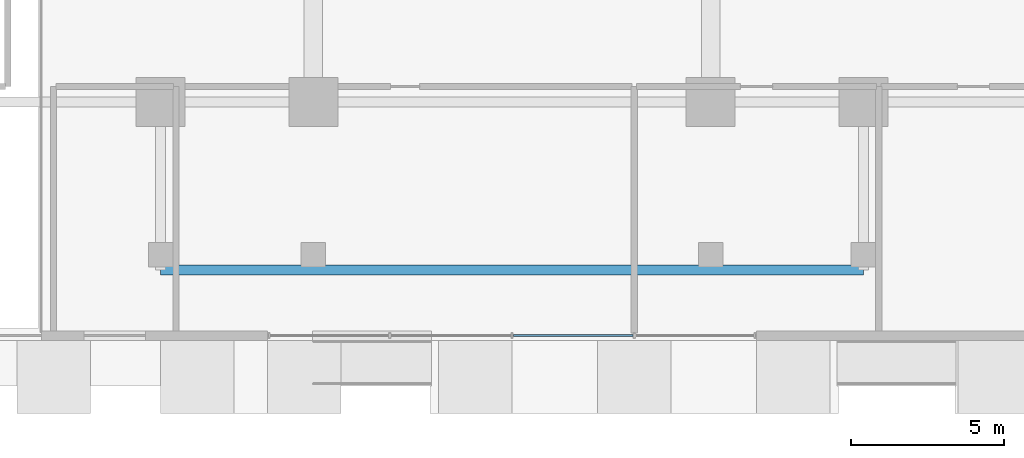
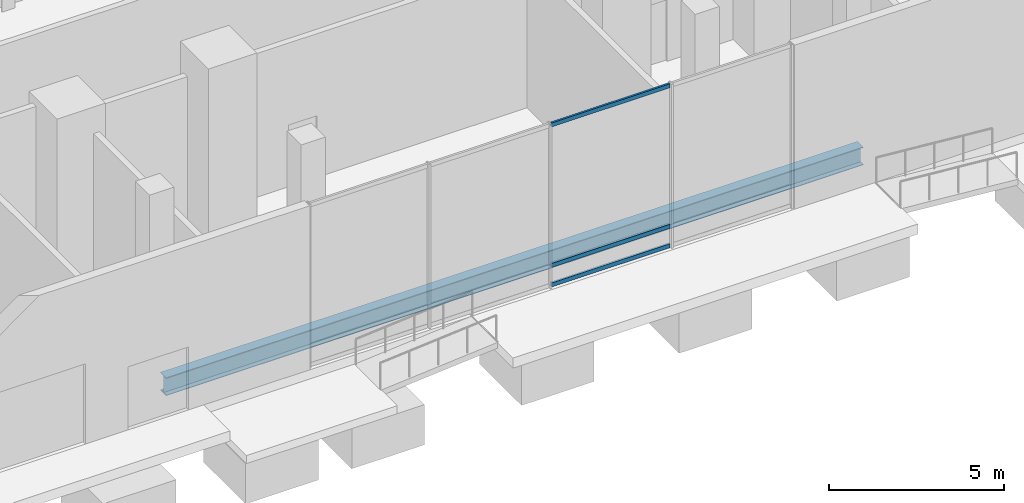
# One storey, part 6 of 34: 3 members, 1 beam, 1 element without a shape of its own.
"""IFC4 building model written with IfcOpenShell, lengths in metres."""

from ifc_helpers import new_model, si_unit, direction, frame, origin, origin_2d, place, context, subcontext, project, spatial, hollow_rectangle, i_section, extrude, material, layer, layer_set, material_profile, profile_set, type_object, element, aggregate, save


model = new_model("IFC4")

# Units and contexts
model_context = context("Model", 3, precision=1e-05, world=origin(), true_north=direction((0.0, 1.0)))
body_context = subcontext(model_context, "Body", "Model", "MODEL_VIEW")
ifc_project = project(units=[si_unit("LENGTHUNIT", "METRE"), si_unit("AREAUNIT", "SQUARE_METRE"), si_unit("VOLUMEUNIT", "CUBIC_METRE"), si_unit("PLANEANGLEUNIT", "RADIAN"), si_unit("MASSUNIT", "GRAM", prefix="KILO")], contexts=[model_context])

# Site, building, storey
site_placement = place(None, origin())
site = spatial("IfcSite", under=ifc_project, at=site_placement, CompositionType="ELEMENT")
building_placement = place(site_placement, origin())
building = spatial("IfcBuilding", under=site, at=building_placement, Name="Barlavira Tower and Art Museum", CompositionType="ELEMENT")
storey_placement = place(building_placement, origin())
storey = spatial("IfcBuildingStorey", under=building, at=storey_placement, Name="L00", CompositionType="ELEMENT", Elevation=0.0)

# Curtain wall, members
ifc_material_1 = material(Name="Low-iron coastal laminated glass", Category="glass")
ifc_layer = layer(ifc_material_1, 0.179931640625, Name="Low-iron coastal laminated glass")
ifc_layer_set = layer_set([ifc_layer], Name="Low-iron coastal laminated glass")
curtain_wall_type = type_object("IfcCurtainWallType", Name="Pale-Metal Unitised Curtain Wall Zone 1", PredefinedType="NOTDEFINED", material=ifc_layer_set)
curtain_wall_placement = place(storey_placement, origin())
curtain_wall = element("IfcCurtainWall", 1, at=curtain_wall_placement, inside=storey, type_object=curtain_wall_type, Name="L00 Curtain Wall CW1-L00-S", PredefinedType="NOTDEFINED")
ifc_material_2 = material(Name="Pale anodised aluminium", Category="aluminium")
ifc_material_profile_1 = material_profile(ifc_material_2, hollow_rectangle(XDim=0.06494140625, YDim=0.139892578125, WallThickness=0.00390625, at=origin_2d()), Name="ALU-TRAN 65x140x4")
ifc_profile_set_1 = profile_set([ifc_material_profile_1], Name="Pale anodised aluminium")
member_type = type_object("IfcMemberType", Name="Curtain Wall Pale-Metal Transom 65x140", PredefinedType="USERDEFINED", material=ifc_profile_set_1)
member_1_placement = place(storey_placement, frame((0.044921875, -27.64990234375, 0.070068359375), z_axis=(1.0, 0.0, 0.0), x_axis=(0.0, 1.0, 0.0)))
member_1 = element("IfcMember", 2, at=member_1_placement, type_object=member_type, Name="CW1-L00-S Transom 2.1", ObjectType="TRANSOM", PredefinedType="USERDEFINED", context=body_context, shape_type="SweptSolid", body=[
    extrude(hollow_rectangle(XDim=0.06494140625, YDim=0.139892578125, WallThickness=0.00390625, at=origin_2d()), origin(), (0.0, 0.0, 1.0), 3.91015625),
])
member_2_placement = place(storey_placement, frame((0.044921875, -27.64990234375, 0.75), z_axis=(1.0, 0.0, 0.0), x_axis=(0.0, 1.0, 0.0)))
member_2 = element("IfcMember", 3, at=member_2_placement, type_object=member_type, Name="CW1-L00-S Transom 2.2", ObjectType="TRANSOM", PredefinedType="USERDEFINED", context=body_context, shape_type="SweptSolid", body=[
    extrude(hollow_rectangle(XDim=0.06494140625, YDim=0.139892578125, WallThickness=0.00390625, at=origin_2d()), origin(), (0.0, 0.0, 1.0), 3.91015625),
])
member_3_placement = place(storey_placement, frame((0.044921875, -27.64990234375, 5.64990234375), z_axis=(1.0, 0.0, 0.0), x_axis=(0.0, 1.0, 0.0)))
member_3 = element("IfcMember", 4, at=member_3_placement, type_object=member_type, Name="CW1-L00-S Transom 2.3", ObjectType="TRANSOM", PredefinedType="USERDEFINED", context=body_context, shape_type="SweptSolid", body=[
    extrude(hollow_rectangle(XDim=0.06494140625, YDim=0.139892578125, WallThickness=0.00390625, at=origin_2d()), origin(), (0.0, 0.0, 1.0), 3.91015625),
])
aggregate(curtain_wall, [member_1, member_2, member_3])

# Beam
ifc_material_3 = material(Name="Steel S355", Category="steel")
ifc_material_profile_2 = material_profile(ifc_material_3, i_section(OverallWidth=0.327880859375, OverallDepth=0.62890625, WebThickness=0.013916015625, FlangeThickness=0.021484375, at=origin_2d()), Name="W610x174.0")
ifc_profile_set_2 = profile_set([ifc_material_profile_2], Name="Steel S355")
beam_type = type_object("IfcBeamType", Name="Perimeter Spandrel Edge Beam W610x174 Steel S355", PredefinedType="SPANDREL", material=ifc_profile_set_2)
beam_placement = place(storey_placement, frame((-11.5, -25.5, -0.66455078125), z_axis=(1.0, 0.0, 0.0), x_axis=(0.0, 1.0, 0.0)))
element("IfcBeam", 5, at=beam_placement, inside=storey, type_object=beam_type, Name="L00 South Cascade Edge Spandrel", PredefinedType="SPANDREL", context=body_context, shape_type="SweptSolid", body=[
    extrude(i_section(OverallWidth=0.327880859375, OverallDepth=0.62890625, WebThickness=0.013916015625, FlangeThickness=0.021484375, at=origin_2d()), origin(), (0.0, 0.0, 1.0), 23.0),
])

save(model, "model.ifc")
